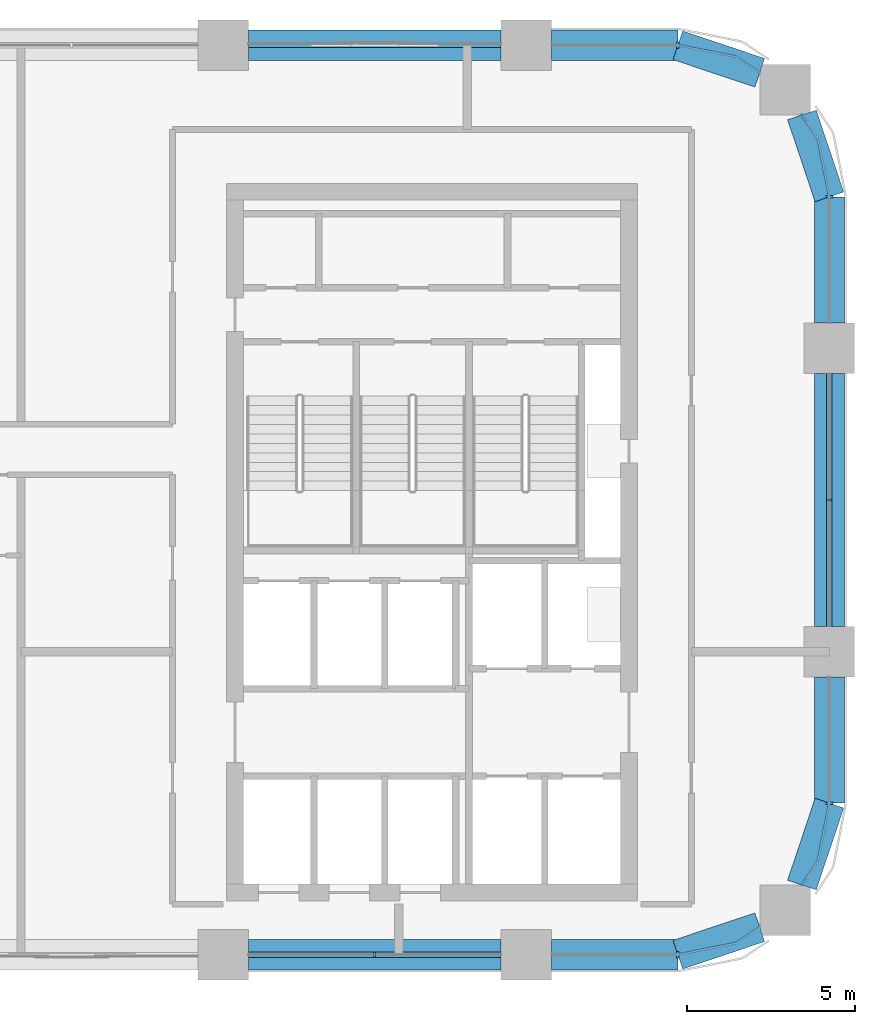
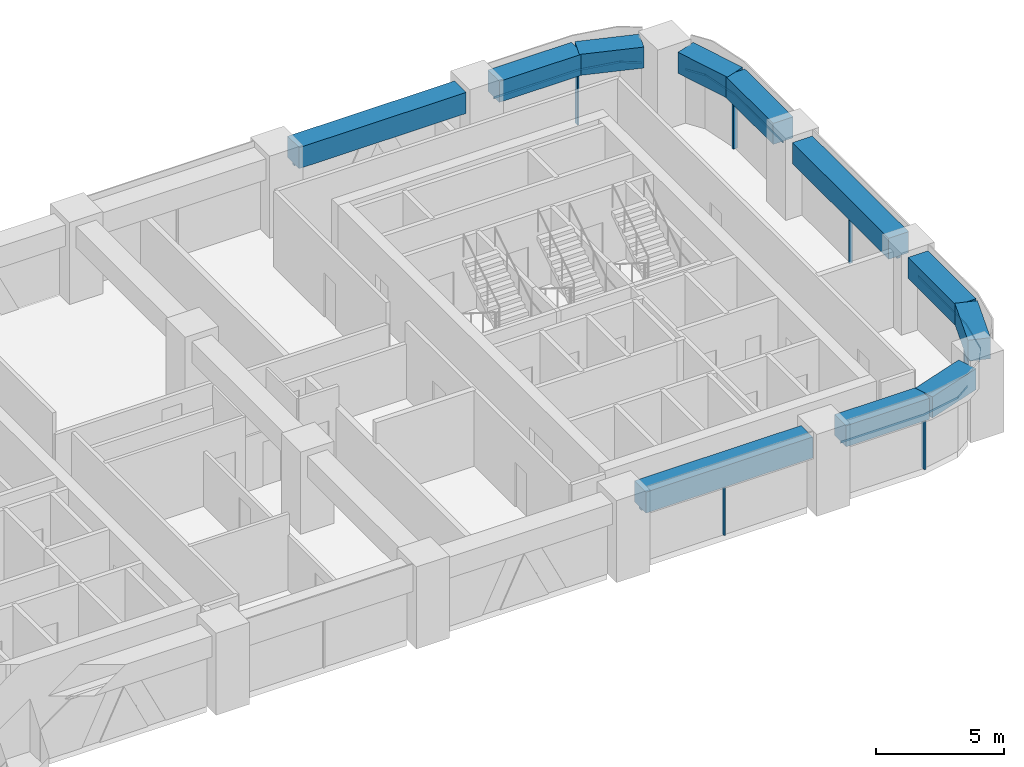
# One storey, part 5 of 18: 13 members, 11 beams, 7 elements without a shape of their own.
"""IFC4 building model written with IfcOpenShell, lengths in metres."""

from ifc_helpers import new_model, si_unit, direction, frame, origin, origin_2d, place, context, subcontext, project, spatial, polyline, rectangle, outline, extrude, material, material_profile, profile_set, type_object, element, aggregate, save


model = new_model("IFC4")

# Units and contexts
model_context = context("Model", 3, precision=1e-05, world=origin(), true_north=direction((0.0, 1.0)))
body_context = subcontext(model_context, "Body", "Model", "MODEL_VIEW")
ifc_project = project(units=[si_unit("LENGTHUNIT", "METRE"), si_unit("AREAUNIT", "SQUARE_METRE"), si_unit("VOLUMEUNIT", "CUBIC_METRE"), si_unit("PLANEANGLEUNIT", "RADIAN"), si_unit("MASSUNIT", "GRAM", prefix="KILO")], contexts=[model_context])

# Site, building, storey
site_placement = place(None, origin())
site = spatial("IfcSite", under=ifc_project, at=site_placement, CompositionType="ELEMENT")
building_placement = place(site_placement, origin())
building = spatial("IfcBuilding", under=site, at=building_placement, Name="Tessera Arch", CompositionType="ELEMENT")
storey_placement = place(building_placement, frame((0.0, 0.0, 154.39990234375)))
storey = spatial("IfcBuildingStorey", under=building, at=storey_placement, Name="L36", CompositionType="ELEMENT", Elevation=154.39990234375)

# Curtain wall, member
ifc_material_1 = material(Name="CW1 curtain wall")
curtain_wall_type_1 = type_object("IfcCurtainWallType", Name="CW1 curtain wall", PredefinedType="NOTDEFINED", material=ifc_material_1)
curtain_wall_1_placement = place(storey_placement, origin())
curtain_wall_1 = element("IfcCurtainWall", 1, at=curtain_wall_1_placement, inside=storey, type_object=curtain_wall_type_1, Name="CW1 curtain wall E54.27/0 L36", PredefinedType="NOTDEFINED")
ifc_material_2 = material(Name="Anodised aluminium pale metal", Category="aluminium")
ifc_material_profile_1 = material_profile(ifc_material_2, rectangle(XDim=0.159912109375, YDim=0.06005859375, at=origin_2d()), Name="AL 60x160")
ifc_profile_set_1 = profile_set([ifc_material_profile_1], Name="Anodised aluminium pale metal")
member_type_1 = type_object("IfcMemberType", Name="CW1 mullion", PredefinedType="MULLION", material=ifc_profile_set_1)
member_1_placement = place(storey_placement, frame((54.0, 40.5, 0.0), z_axis=(0.0, 0.0, 1.0), x_axis=(-1.0, 0.0, 0.0)))
member_1 = element("IfcMember", 2, at=member_1_placement, type_object=member_type_1, Name="CW1 mullion E54.27/0 1", PredefinedType="MULLION", context=body_context, shape_type="SweptSolid", body=[
    extrude(rectangle(XDim=0.159912109375, YDim=0.06005859375, at=origin_2d()), origin(), (0.0, 0.0, 1.0), 2.5),
])

curtain_wall_2_placement = place(storey_placement, origin())
curtain_wall_2 = element("IfcCurtainWall", 3, at=curtain_wall_2_placement, inside=storey, type_object=curtain_wall_type_1, Name="CW1 curtain wall S27.0/4 L36", PredefinedType="NOTDEFINED")
member_2_placement = place(storey_placement, frame((40.5, 27.0, 0.0), z_axis=(0.0, 0.0, 1.0), x_axis=(0.0, 1.0, 0.0)))
member_2 = element("IfcMember", 4, at=member_2_placement, type_object=member_type_1, Name="CW1 mullion S27.0/4 1", PredefinedType="MULLION", context=body_context, shape_type="SweptSolid", body=[
    extrude(rectangle(XDim=0.159912109375, YDim=0.06005859375, at=origin_2d()), origin(), (0.0, 0.0, 1.0), 2.5),
])

# Member
ifc_material_3 = material(Name="Anodised aluminium pale metal", Category="aluminium")
ifc_material_profile_2 = material_profile(ifc_material_3, rectangle(XDim=0.159912109375, YDim=0.10009765625, at=origin_2d()), Name="AL 160x100")
ifc_profile_set_2 = profile_set([ifc_material_profile_2], Name="Anodised aluminium pale metal")
member_type_2 = type_object("IfcMemberType", Name="CW1 transom", PredefinedType="USERDEFINED", material=ifc_profile_set_2)
member_3_placement = place(storey_placement, frame((54.0, 36.75, 2.550048828125), z_axis=(0.0, 1.0, 0.0), x_axis=(-1.0, 0.0, 0.0)))
member_3 = element("IfcMember", 5, at=member_3_placement, type_object=member_type_2, Name="CW1 transom E54.27/0 1.1", ObjectType="TRANSOM", PredefinedType="USERDEFINED", context=body_context, shape_type="SweptSolid", body=[
    extrude(rectangle(XDim=0.159912109375, YDim=0.10009765625, at=origin_2d()), origin(), (0.0, 0.0, 1.0), 7.5),
])

aggregate(curtain_wall_1, [member_1, member_3])

member_4_placement = place(storey_placement, frame((36.75, 27.0, 2.550048828125), z_axis=(1.0, 0.0, 0.0), x_axis=(0.0, 1.0, 0.0)))
member_4 = element("IfcMember", 6, at=member_4_placement, type_object=member_type_2, Name="CW1 transom S27.0/4 1.1", ObjectType="TRANSOM", PredefinedType="USERDEFINED", context=body_context, shape_type="SweptSolid", body=[
    extrude(rectangle(XDim=0.159912109375, YDim=0.10009765625, at=origin_2d()), origin(), (0.0, 0.0, 1.0), 7.5),
])

aggregate(curtain_wall_2, [member_2, member_4])

# Curtain wall, member
ifc_material_4 = material(Name="CW2 curtain wall")
curtain_wall_type_2 = type_object("IfcCurtainWallType", Name="CW2 curtain wall", PredefinedType="NOTDEFINED", material=ifc_material_4)
curtain_wall_3_placement = place(storey_placement, origin())
curtain_wall_3 = element("IfcCurtainWall", 7, at=curtain_wall_3_placement, inside=storey, type_object=curtain_wall_type_2, Name="CW2 curtain wall E54.27/1 L36", PredefinedType="NOTDEFINED")
ifc_material_5 = material(Name="Anodised aluminium pale metal", Category="aluminium")
ifc_material_profile_3 = material_profile(ifc_material_5, rectangle(XDim=0.199951171875, YDim=0.080078125, at=origin_2d()), Name="AL 80x200")
ifc_profile_set_3 = profile_set([ifc_material_profile_3], Name="Anodised aluminium pale metal")
member_type_3 = type_object("IfcMemberType", Name="CW2 mullion", PredefinedType="MULLION", material=ifc_profile_set_3)
member_5_placement = place(storey_placement, frame((54.0, 49.5, 0.0), z_axis=(0.0, 0.0, 1.0), x_axis=(-1.0, 0.0, 0.0)))
member_5 = element("IfcMember", 8, at=member_5_placement, type_object=member_type_3, Name="CW2 mullion E54.27/1 1", PredefinedType="MULLION", context=body_context, shape_type="SweptSolid", body=[
    extrude(rectangle(XDim=0.199951171875, YDim=0.080078125, at=origin_2d()), origin(), (0.0, 0.0, 1.0), 2.5),
])

curtain_wall_4_placement = place(storey_placement, origin())
curtain_wall_4 = element("IfcCurtainWall", 9, at=curtain_wall_4_placement, inside=storey, type_object=curtain_wall_type_2, Name="CW2 curtain wall N54.0/0 L36", PredefinedType="NOTDEFINED")
member_6_placement = place(storey_placement, frame((49.5, 54.0, 0.0), z_axis=(0.0, 0.0, 1.0), x_axis=(0.0, -1.0, 0.0)))
member_6 = element("IfcMember", 10, at=member_6_placement, type_object=member_type_3, Name="CW2 mullion N54.0/0 1", PredefinedType="MULLION", context=body_context, shape_type="SweptSolid", body=[
    extrude(rectangle(XDim=0.199951171875, YDim=0.080078125, at=origin_2d()), origin(), (0.0, 0.0, 1.0), 2.5),
])

curtain_wall_5_placement = place(storey_placement, origin())
curtain_wall_5 = element("IfcCurtainWall", 11, at=curtain_wall_5_placement, inside=storey, type_object=curtain_wall_type_2, Name="CW2 curtain wall S27.0/5 L36", PredefinedType="NOTDEFINED")
member_7_placement = place(storey_placement, frame((49.5, 27.0, 0.0), z_axis=(0.0, 0.0, 1.0), x_axis=(0.0, 1.0, 0.0)))
member_7 = element("IfcMember", 12, at=member_7_placement, type_object=member_type_3, Name="CW2 mullion S27.0/5 1", PredefinedType="MULLION", context=body_context, shape_type="SweptSolid", body=[
    extrude(rectangle(XDim=0.199951171875, YDim=0.080078125, at=origin_2d()), origin(), (0.0, 0.0, 1.0), 2.5),
])

curtain_wall_6_placement = place(storey_placement, origin())
curtain_wall_6 = element("IfcCurtainWall", 13, at=curtain_wall_6_placement, inside=storey, type_object=curtain_wall_type_2, Name="CW2 curtain wall E54.27/2 L36", PredefinedType="NOTDEFINED")
member_8_placement = place(storey_placement, frame((54.0, 31.5, 0.0), z_axis=(0.0, 0.0, 1.0), x_axis=(-1.0, 0.0, 0.0)))
member_8 = element("IfcMember", 14, at=member_8_placement, type_object=member_type_3, Name="CW2 mullion E54.27/2 1", PredefinedType="MULLION", context=body_context, shape_type="SweptSolid", body=[
    extrude(rectangle(XDim=0.199951171875, YDim=0.080078125, at=origin_2d()), origin(), (0.0, 0.0, 1.0), 2.5),
])

# Member
ifc_material_6 = material(Name="Anodised aluminium pale metal", Category="aluminium")
ifc_material_profile_4 = material_profile(ifc_material_6, rectangle(XDim=0.199951171875, YDim=0.10009765625, at=origin_2d()), Name="AL 200x100")
ifc_profile_set_4 = profile_set([ifc_material_profile_4], Name="Anodised aluminium pale metal")
member_type_4 = type_object("IfcMemberType", Name="CW2 transom", PredefinedType="USERDEFINED", material=ifc_profile_set_4)
member_9_placement = place(storey_placement, frame((0.0, 0.0, 2.5)))
member_9 = element("IfcMember", 15, at=member_9_placement, type_object=member_type_4, Name="CW2 transom E54.27/1 1", ObjectType="TRANSOM", PredefinedType="USERDEFINED", context=body_context, shape_type="SweptSolid", body=[
    extrude(outline(polyline([(53.989990234375, 49.4990234375), (53.989990234375, 45.75), (54.010009765625, 45.75), (54.010009765625, 49.5009765625), (53.6669921875, 51.22607421875), (53.19140625, 51.9375), (53.1748046875, 51.926513671875), (53.648193359375, 51.21826171875), (53.989990234375, 49.4990234375)])), origin(), (0.0, 0.0, 1.0), 0.10009765625),
])

aggregate(curtain_wall_3, [member_5, member_9])

member_10_placement = place(storey_placement, frame((0.0, 0.0, 2.5)))
member_10 = element("IfcMember", 16, at=member_10_placement, type_object=member_type_4, Name="CW2 transom N54.0/0 1", ObjectType="TRANSOM", PredefinedType="USERDEFINED", context=body_context, shape_type="SweptSolid", body=[
    extrude(outline(polyline([(51.21826171875, 53.648193359375), (51.926513671875, 53.1748046875), (51.9375, 53.19140625), (51.22607421875, 53.6669921875), (49.5009765625, 54.010009765625), (45.75, 54.010009765625), (45.75, 53.989990234375), (49.4990234375, 53.989990234375), (51.21826171875, 53.648193359375)])), origin(), (0.0, 0.0, 1.0), 0.10009765625),
])

aggregate(curtain_wall_4, [member_6, member_10])

member_11_placement = place(storey_placement, frame((0.0, 0.0, 2.5)))
member_11 = element("IfcMember", 17, at=member_11_placement, type_object=member_type_4, Name="CW2 transom S27.0/5 1", ObjectType="TRANSOM", PredefinedType="USERDEFINED", context=body_context, shape_type="SweptSolid", body=[
    extrude(outline(polyline([(49.4990234375, 27.010009765625), (45.75, 27.010009765625), (45.75, 26.989990234375), (49.5009765625, 26.989990234375), (51.22607421875, 27.3330078125), (51.9375, 27.80859375), (51.926513671875, 27.8251953125), (51.21826171875, 27.351806640625), (49.4990234375, 27.010009765625)])), origin(), (0.0, 0.0, 1.0), 0.10009765625),
])

aggregate(curtain_wall_5, [member_7, member_11])

member_12_placement = place(storey_placement, frame((0.0, 0.0, 2.5)))
member_12 = element("IfcMember", 18, at=member_12_placement, type_object=member_type_4, Name="CW2 transom E54.27/2 1", ObjectType="TRANSOM", PredefinedType="USERDEFINED", context=body_context, shape_type="SweptSolid", body=[
    extrude(outline(polyline([(53.648193359375, 29.78173828125), (53.1748046875, 29.073486328125), (53.19140625, 29.0625), (53.6669921875, 29.77392578125), (54.010009765625, 31.4990234375), (54.010009765625, 35.25), (53.989990234375, 35.25), (53.989990234375, 31.5009765625), (53.648193359375, 29.78173828125)])), origin(), (0.0, 0.0, 1.0), 0.10009765625),
])

aggregate(curtain_wall_6, [member_8, member_12])

# Curtain wall, member
ifc_material_7 = material(Name="CW3 curtain wall")
curtain_wall_type_3 = type_object("IfcCurtainWallType", Name="CW3 curtain wall", PredefinedType="NOTDEFINED", material=ifc_material_7)
curtain_wall_7_placement = place(storey_placement, origin())
curtain_wall_7 = element("IfcCurtainWall", 19, at=curtain_wall_7_placement, inside=storey, type_object=curtain_wall_type_3, Name="CW3 curtain wall N54.0/1 L36", PredefinedType="NOTDEFINED")
ifc_material_8 = material(Name="Anodised aluminium pale metal", Category="aluminium")
ifc_material_profile_5 = material_profile(ifc_material_8, rectangle(XDim=0.139892578125, YDim=0.10009765625, at=origin_2d()), Name="AL 140x100")
ifc_profile_set_5 = profile_set([ifc_material_profile_5], Name="Anodised aluminium pale metal")
member_type_5 = type_object("IfcMemberType", Name="CW3 transom", PredefinedType="USERDEFINED", material=ifc_profile_set_5)
member_13_placement = place(storey_placement, frame((44.25, 54.0, 2.550048828125), z_axis=(-1.0, 0.0, 0.0), x_axis=(0.0, -1.0, 0.0)))
member_13 = element("IfcMember", 20, at=member_13_placement, type_object=member_type_5, Name="CW3 transom N54.0/1 1.1", ObjectType="TRANSOM", PredefinedType="USERDEFINED", context=body_context, shape_type="SweptSolid", body=[
    extrude(rectangle(XDim=0.139892578125, YDim=0.10009765625, at=origin_2d()), origin(), (0.0, 0.0, 1.0), 7.5),
])
aggregate(curtain_wall_7, [member_13])

# Beams
ifc_material_9 = material(Name="Concrete C70/85", Category="concrete")
ifc_material_profile_6 = material_profile(ifc_material_9, rectangle(XDim=0.89990234375, YDim=1.0, at=origin_2d()), Name="RC spandrel beam 900 x 1000 Concrete C70/85")
ifc_profile_set_6 = profile_set([ifc_material_profile_6], Name="Concrete C70/85")
beam_type = type_object("IfcBeamType", Name="RC spandrel beam 900 x 1000 Concrete C70/85", PredefinedType="BEAM", material=ifc_profile_set_6)
beam_1_placement = place(storey_placement, frame((54.0, 36.75, 3.10009765625), z_axis=(0.0, 1.0, 0.0), x_axis=(-1.0, 0.0, 0.0)))
element("IfcBeam", 21, at=beam_1_placement, inside=storey, type_object=beam_type, Name="Spandrel beam L36 E54.27/0", PredefinedType="BEAM", context=body_context, shape_type="SweptSolid", body=[
    extrude(rectangle(XDim=0.89990234375, YDim=1.0, at=origin_2d()), origin(), (0.0, 0.0, 1.0), 7.5),
])
beam_2_placement = place(storey_placement, frame((54.0, 45.75, 3.10009765625), z_axis=(0.0, 1.0, 0.0), x_axis=(-1.0, 0.0, 0.0)))
element("IfcBeam", 22, at=beam_2_placement, inside=storey, type_object=beam_type, Name="Spandrel beam L36 E54.27/1.1", PredefinedType="BEAM", context=body_context, shape_type="SweptSolid", body=[
    extrude(rectangle(XDim=0.89990234375, YDim=1.0, at=origin_2d()), origin(), (0.0, 0.0, 1.0), 3.75),
])
for number, where, z_axis, x_axis, name in (
    (23, (54.0, 49.5, 3.10009765625), (-0.31842525032, 0.947947973234, 0.0), (-0.947947973234, -0.31842525032, 0.0), "Spandrel beam L36 E54.27/1.2"),
    (24, (51.931884765625, 53.18310546875, 3.10009765625), (-0.947947973234, 0.31842525032, 0.0), (-0.31842525032, -0.947947973234, 0.0), "Spandrel beam L36 N54.0/0.1"),
):
    element("IfcBeam", number, at=place(storey_placement, frame(where, z_axis=z_axis, x_axis=x_axis)), inside=storey, type_object=beam_type, Name=name, PredefinedType="BEAM", context=body_context, shape_type="SweptSolid", body=[
        extrude(rectangle(XDim=0.89990234375, YDim=1.0, at=origin_2d()), origin(), (0.0, 0.0, 1.0), 2.5654296875),
    ])
beam_3_placement = place(storey_placement, frame((49.5, 54.0, 3.10009765625), z_axis=(-1.0, 0.0, 0.0), x_axis=(0.0, -1.0, 0.0)))
element("IfcBeam", 25, at=beam_3_placement, inside=storey, type_object=beam_type, Name="Spandrel beam L36 N54.0/0.2", PredefinedType="BEAM", context=body_context, shape_type="SweptSolid", body=[
    extrude(rectangle(XDim=0.89990234375, YDim=1.0, at=origin_2d()), origin(), (0.0, 0.0, 1.0), 3.75),
])
for number, where, z_axis, x_axis, name in (
    (26, (44.25, 54.0, 3.10009765625), (-1.0, 0.0, 0.0), (0.0, -1.0, 0.0), "Spandrel beam L36 N54.0/1"),
    (27, (36.75, 27.0, 3.10009765625), (1.0, 0.0, 0.0), (0.0, 1.0, 0.0), "Spandrel beam L36 S27.0/4"),
):
    element("IfcBeam", number, at=place(storey_placement, frame(where, z_axis=z_axis, x_axis=x_axis)), inside=storey, type_object=beam_type, Name=name, PredefinedType="BEAM", context=body_context, shape_type="SweptSolid", body=[
        extrude(rectangle(XDim=0.89990234375, YDim=1.0, at=origin_2d()), origin(), (0.0, 0.0, 1.0), 7.5),
    ])
beam_4_placement = place(storey_placement, frame((45.75, 27.0, 3.10009765625), z_axis=(1.0, 0.0, 0.0), x_axis=(0.0, 1.0, 0.0)))
element("IfcBeam", 28, at=beam_4_placement, inside=storey, type_object=beam_type, Name="Spandrel beam L36 S27.0/5.1", PredefinedType="BEAM", context=body_context, shape_type="SweptSolid", body=[
    extrude(rectangle(XDim=0.89990234375, YDim=1.0, at=origin_2d()), origin(), (0.0, 0.0, 1.0), 3.75),
])
for number, where, z_axis, x_axis, name in (
    (29, (49.5, 27.0, 3.10009765625), (0.947947973234, 0.31842525032, 0.0), (-0.31842525032, 0.947947973234, 0.0), "Spandrel beam L36 S27.0/5.2"),
    (30, (53.18310546875, 29.068115234375, 3.10009765625), (0.31842525032, 0.947947973234, 0.0), (-0.947947973234, 0.31842525032, 0.0), "Spandrel beam L36 E54.27/2.1"),
):
    element("IfcBeam", number, at=place(storey_placement, frame(where, z_axis=z_axis, x_axis=x_axis)), inside=storey, type_object=beam_type, Name=name, PredefinedType="BEAM", context=body_context, shape_type="SweptSolid", body=[
        extrude(rectangle(XDim=0.89990234375, YDim=1.0, at=origin_2d()), origin(), (0.0, 0.0, 1.0), 2.5654296875),
    ])
beam_5_placement = place(storey_placement, frame((54.0, 31.5, 3.10009765625), z_axis=(0.0, 1.0, 0.0), x_axis=(-1.0, 0.0, 0.0)))
element("IfcBeam", 31, at=beam_5_placement, inside=storey, type_object=beam_type, Name="Spandrel beam L36 E54.27/2.2", PredefinedType="BEAM", context=body_context, shape_type="SweptSolid", body=[
    extrude(rectangle(XDim=0.89990234375, YDim=1.0, at=origin_2d()), origin(), (0.0, 0.0, 1.0), 3.75),
])

save(model, "model.ifc")
